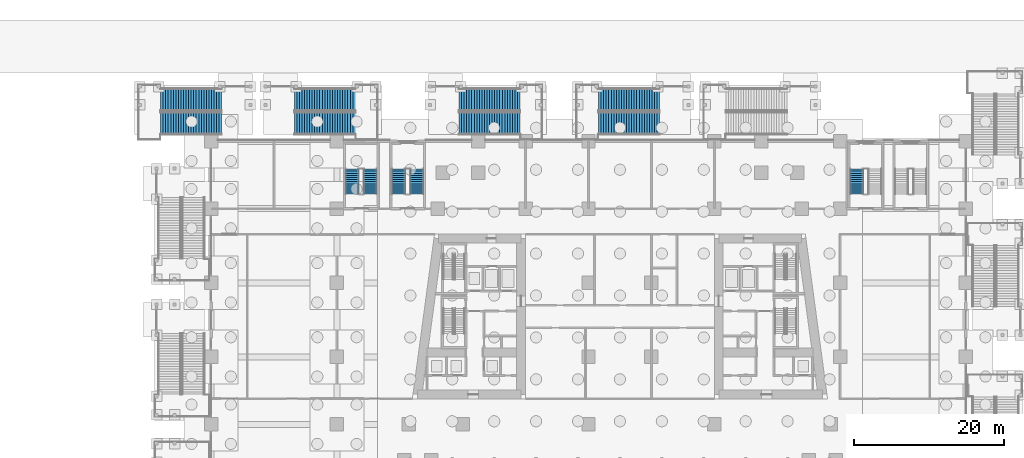
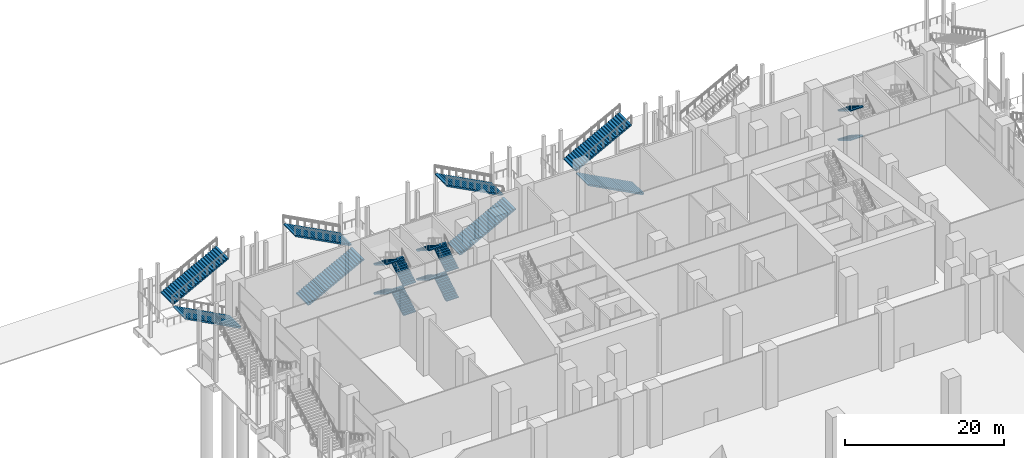
# One storey, part 54 of 72: 18 stair flights, 7 elements without a shape of their own.
"""IFC4 building model written with IfcOpenShell, lengths in metres."""

from ifc_helpers import new_model, si_unit, direction, frame, origin, place, context, subcontext, project, spatial, polyline, outline, extrude, material, type_object, element, aggregate, save


model = new_model("IFC4")

# Units and contexts
model_context = context("Model", 3, precision=1e-05, world=origin(), true_north=direction((0.0, 1.0)))
body_context = subcontext(model_context, "Body", "Model", "MODEL_VIEW")
ifc_project = project(units=[si_unit("LENGTHUNIT", "METRE"), si_unit("AREAUNIT", "SQUARE_METRE"), si_unit("VOLUMEUNIT", "CUBIC_METRE"), si_unit("PLANEANGLEUNIT", "RADIAN"), si_unit("MASSUNIT", "GRAM", prefix="KILO")], contexts=[model_context])

# Site, building, storey
site_placement = place(None, origin())
site = spatial("IfcSite", under=ifc_project, at=site_placement, CompositionType="ELEMENT")
building_placement = place(site_placement, origin())
building = spatial("IfcBuilding", under=site, at=building_placement, Name="Candeia Pilgrim Tower and Theatre", CompositionType="ELEMENT")
storey_placement = place(building_placement, origin())
storey = spatial("IfcBuildingStorey", under=building, at=storey_placement, Name="L00", CompositionType="ELEMENT", Elevation=0.0)

# Stair, stair flights
ifc_material = material(Name="Concrete C40/50", Category="concrete")
stair_type_1 = type_object("IfcStairType", Name="ST-EXT external escape stair", PredefinedType="HALF_TURN_STAIR", material=ifc_material)
stair_1_placement = place(storey_placement, origin())
stair_1 = element("IfcStair", 1, at=stair_1_placement, inside=storey, type_object=stair_type_1, Name="L00 External escape stair ES3", PredefinedType="HALF_TURN_STAIR")
stair_flight_type_1 = type_object("IfcStairFlightType", Name="SFL-EXT stair flight", PredefinedType="STRAIGHT", material=ifc_material)
stair_flight_1_placement = place(storey_placement, frame((60.199951171875, 147.199951171875, 0.0), z_axis=(0.0, 0.0, 1.0), x_axis=(-1.0, 0.0, 0.0)))
stair_flight_1 = element("IfcStairFlight", 2, at=stair_flight_1_placement, type_object=stair_flight_type_1, Name="ES3 flight 1", NumberOfRisers=25, NumberOfTreads=24, PredefinedType="STRAIGHT", RiserHeight=0.18, TreadLength=0.34, context=body_context, shape_type="SweptSolid", body=[
    extrude(outline(polyline([(0.0, 0.0), (0.0, 0.179931640625), (0.340087890625, 0.179931640625), (0.340087890625, 0.360107421875), (0.679931640625, 0.360107421875), (0.679931640625, 0.5400390625), (1.02001953125, 0.5400390625), (1.02001953125, 0.719970703125), (1.360107421875, 0.719970703125), (1.360107421875, 0.89990234375), (1.699951171875, 0.89990234375), (1.699951171875, 1.080078125), (2.0400390625, 1.080078125), (2.0400390625, 1.260009765625), (2.3798828125, 1.260009765625), (2.3798828125, 1.43994140625), (2.719970703125, 1.43994140625), (2.719970703125, 1.6201171875), (3.06005859375, 1.6201171875), (3.06005859375, 1.800048828125), (3.39990234375, 1.800048828125), (3.39990234375, 1.97998046875), (3.739990234375, 1.97998046875), (3.739990234375, 2.159912109375), (4.080078125, 2.159912109375), (4.080078125, 2.340087890625), (4.419921875, 2.340087890625), (4.419921875, 2.52001953125), (4.760009765625, 2.52001953125), (4.760009765625, 2.699951171875), (5.10009765625, 2.699951171875), (5.10009765625, 2.8798828125), (5.43994140625, 2.8798828125), (5.43994140625, 3.06005859375), (5.780029296875, 3.06005859375), (5.780029296875, 3.239990234375), (6.1201171875, 3.239990234375), (6.1201171875, 3.419921875), (6.4599609375, 3.419921875), (6.4599609375, 3.60009765625), (6.800048828125, 3.60009765625), (6.800048828125, 3.780029296875), (7.139892578125, 3.780029296875), (7.139892578125, 3.9599609375), (7.47998046875, 3.9599609375), (7.47998046875, 4.139892578125), (7.820068359375, 4.139892578125), (7.820068359375, 4.320068359375), (8.159912109375, 4.320068359375), (8.159912109375, 4.5), (8.159912109375, 4.150390625), (0.3203125, 0.0), (0.0, 0.0)])), frame((0.0, 1.5, 0.0), z_axis=(0.0, -1.0, 0.0), x_axis=(1.0, 0.0, 0.0)), (0.0, 0.0, 1.0), 3.0),
])
stair_flight_2_placement = place(storey_placement, frame((52.0400390625, 150.35009765625, 4.5), z_axis=(0.0, 0.0, 1.0), x_axis=(1.0, 0.0, 0.0)))
stair_flight_2 = element("IfcStairFlight", 3, at=stair_flight_2_placement, type_object=stair_flight_type_1, Name="ES3 flight 2", NumberOfRisers=25, NumberOfTreads=24, PredefinedType="STRAIGHT", RiserHeight=0.18, TreadLength=0.34, context=body_context, shape_type="SweptSolid", body=[
    extrude(outline(polyline([(0.0, 0.0), (0.0, 0.179931640625), (0.340087890625, 0.179931640625), (0.340087890625, 0.360107421875), (0.679931640625, 0.360107421875), (0.679931640625, 0.5400390625), (1.02001953125, 0.5400390625), (1.02001953125, 0.719970703125), (1.360107421875, 0.719970703125), (1.360107421875, 0.89990234375), (1.699951171875, 0.89990234375), (1.699951171875, 1.080078125), (2.0400390625, 1.080078125), (2.0400390625, 1.260009765625), (2.3798828125, 1.260009765625), (2.3798828125, 1.43994140625), (2.719970703125, 1.43994140625), (2.719970703125, 1.6201171875), (3.06005859375, 1.6201171875), (3.06005859375, 1.800048828125), (3.39990234375, 1.800048828125), (3.39990234375, 1.97998046875), (3.739990234375, 1.97998046875), (3.739990234375, 2.159912109375), (4.080078125, 2.159912109375), (4.080078125, 2.340087890625), (4.419921875, 2.340087890625), (4.419921875, 2.52001953125), (4.760009765625, 2.52001953125), (4.760009765625, 2.699951171875), (5.10009765625, 2.699951171875), (5.10009765625, 2.8798828125), (5.43994140625, 2.8798828125), (5.43994140625, 3.06005859375), (5.780029296875, 3.06005859375), (5.780029296875, 3.239990234375), (6.1201171875, 3.239990234375), (6.1201171875, 3.419921875), (6.4599609375, 3.419921875), (6.4599609375, 3.60009765625), (6.800048828125, 3.60009765625), (6.800048828125, 3.780029296875), (7.139892578125, 3.780029296875), (7.139892578125, 3.9599609375), (7.47998046875, 3.9599609375), (7.47998046875, 4.139892578125), (7.820068359375, 4.139892578125), (7.820068359375, 4.320068359375), (8.159912109375, 4.320068359375), (8.159912109375, 4.5), (8.159912109375, 4.150390625), (0.3203125, 0.0), (0.0, 0.0)])), frame((0.0, 1.5, 0.0), z_axis=(0.0, -1.0, 0.0), x_axis=(1.0, 0.0, 0.0)), (0.0, 0.0, 1.0), 3.0),
])
aggregate(stair_1, [stair_flight_1, stair_flight_2])

stair_2_placement = place(storey_placement, origin())
stair_2 = element("IfcStair", 4, at=stair_2_placement, inside=storey, type_object=stair_type_1, Name="L00 External escape stair ES4", PredefinedType="HALF_TURN_STAIR")
stair_flight_3_placement = place(storey_placement, frame((69.89990234375, 147.199951171875, 0.0), z_axis=(0.0, 0.0, 1.0), x_axis=(1.0, 0.0, 0.0)))
stair_flight_3 = element("IfcStairFlight", 5, at=stair_flight_3_placement, type_object=stair_flight_type_1, Name="ES4 flight 1", NumberOfRisers=25, NumberOfTreads=24, PredefinedType="STRAIGHT", RiserHeight=0.18, TreadLength=0.34, context=body_context, shape_type="SweptSolid", body=[
    extrude(outline(polyline([(0.0, 0.0), (0.0, 0.179931640625), (0.340087890625, 0.179931640625), (0.340087890625, 0.360107421875), (0.679931640625, 0.360107421875), (0.679931640625, 0.5400390625), (1.02001953125, 0.5400390625), (1.02001953125, 0.719970703125), (1.360107421875, 0.719970703125), (1.360107421875, 0.89990234375), (1.699951171875, 0.89990234375), (1.699951171875, 1.080078125), (2.0400390625, 1.080078125), (2.0400390625, 1.260009765625), (2.3798828125, 1.260009765625), (2.3798828125, 1.43994140625), (2.719970703125, 1.43994140625), (2.719970703125, 1.6201171875), (3.06005859375, 1.6201171875), (3.06005859375, 1.800048828125), (3.39990234375, 1.800048828125), (3.39990234375, 1.97998046875), (3.739990234375, 1.97998046875), (3.739990234375, 2.159912109375), (4.080078125, 2.159912109375), (4.080078125, 2.340087890625), (4.419921875, 2.340087890625), (4.419921875, 2.52001953125), (4.760009765625, 2.52001953125), (4.760009765625, 2.699951171875), (5.10009765625, 2.699951171875), (5.10009765625, 2.8798828125), (5.43994140625, 2.8798828125), (5.43994140625, 3.06005859375), (5.780029296875, 3.06005859375), (5.780029296875, 3.239990234375), (6.1201171875, 3.239990234375), (6.1201171875, 3.419921875), (6.4599609375, 3.419921875), (6.4599609375, 3.60009765625), (6.800048828125, 3.60009765625), (6.800048828125, 3.780029296875), (7.139892578125, 3.780029296875), (7.139892578125, 3.9599609375), (7.47998046875, 3.9599609375), (7.47998046875, 4.139892578125), (7.820068359375, 4.139892578125), (7.820068359375, 4.320068359375), (8.159912109375, 4.320068359375), (8.159912109375, 4.5), (8.159912109375, 4.150390625), (0.3203125, 0.0), (0.0, 0.0)])), frame((0.0, 1.5, 0.0), z_axis=(0.0, -1.0, 0.0), x_axis=(1.0, 0.0, 0.0)), (0.0, 0.0, 1.0), 3.0),
])
stair_flight_4_placement = place(storey_placement, frame((78.06005859375, 150.35009765625, 4.5), z_axis=(0.0, 0.0, 1.0), x_axis=(-1.0, 0.0, 0.0)))
stair_flight_4 = element("IfcStairFlight", 6, at=stair_flight_4_placement, type_object=stair_flight_type_1, Name="ES4 flight 2", NumberOfRisers=25, NumberOfTreads=24, PredefinedType="STRAIGHT", RiserHeight=0.18, TreadLength=0.34, context=body_context, shape_type="SweptSolid", body=[
    extrude(outline(polyline([(0.0, 0.0), (0.0, 0.179931640625), (0.340087890625, 0.179931640625), (0.340087890625, 0.360107421875), (0.679931640625, 0.360107421875), (0.679931640625, 0.5400390625), (1.02001953125, 0.5400390625), (1.02001953125, 0.719970703125), (1.360107421875, 0.719970703125), (1.360107421875, 0.89990234375), (1.699951171875, 0.89990234375), (1.699951171875, 1.080078125), (2.0400390625, 1.080078125), (2.0400390625, 1.260009765625), (2.3798828125, 1.260009765625), (2.3798828125, 1.43994140625), (2.719970703125, 1.43994140625), (2.719970703125, 1.6201171875), (3.06005859375, 1.6201171875), (3.06005859375, 1.800048828125), (3.39990234375, 1.800048828125), (3.39990234375, 1.97998046875), (3.739990234375, 1.97998046875), (3.739990234375, 2.159912109375), (4.080078125, 2.159912109375), (4.080078125, 2.340087890625), (4.419921875, 2.340087890625), (4.419921875, 2.52001953125), (4.760009765625, 2.52001953125), (4.760009765625, 2.699951171875), (5.10009765625, 2.699951171875), (5.10009765625, 2.8798828125), (5.43994140625, 2.8798828125), (5.43994140625, 3.06005859375), (5.780029296875, 3.06005859375), (5.780029296875, 3.239990234375), (6.1201171875, 3.239990234375), (6.1201171875, 3.419921875), (6.4599609375, 3.419921875), (6.4599609375, 3.60009765625), (6.800048828125, 3.60009765625), (6.800048828125, 3.780029296875), (7.139892578125, 3.780029296875), (7.139892578125, 3.9599609375), (7.47998046875, 3.9599609375), (7.47998046875, 4.139892578125), (7.820068359375, 4.139892578125), (7.820068359375, 4.320068359375), (8.159912109375, 4.320068359375), (8.159912109375, 4.5), (8.159912109375, 4.150390625), (0.3203125, 0.0), (0.0, 0.0)])), frame((0.0, 1.5, 0.0), z_axis=(0.0, -1.0, 0.0), x_axis=(1.0, 0.0, 0.0)), (0.0, 0.0, 1.0), 3.0),
])
aggregate(stair_2, [stair_flight_3, stair_flight_4])

stair_3_placement = place(storey_placement, origin())
stair_3 = element("IfcStair", 7, at=stair_3_placement, inside=storey, type_object=stair_type_1, Name="L00 External escape stair ES5", PredefinedType="HALF_TURN_STAIR")
stair_flight_5_placement = place(storey_placement, frame((91.89990234375, 147.199951171875, 0.0), z_axis=(0.0, 0.0, 1.0), x_axis=(1.0, 0.0, 0.0)))
stair_flight_5 = element("IfcStairFlight", 8, at=stair_flight_5_placement, type_object=stair_flight_type_1, Name="ES5 flight 1", NumberOfRisers=25, NumberOfTreads=24, PredefinedType="STRAIGHT", RiserHeight=0.18, TreadLength=0.34, context=body_context, shape_type="SweptSolid", body=[
    extrude(outline(polyline([(0.0, 0.0), (0.0, 0.179931640625), (0.340087890625, 0.179931640625), (0.340087890625, 0.360107421875), (0.679931640625, 0.360107421875), (0.679931640625, 0.5400390625), (1.02001953125, 0.5400390625), (1.02001953125, 0.719970703125), (1.360107421875, 0.719970703125), (1.360107421875, 0.89990234375), (1.699951171875, 0.89990234375), (1.699951171875, 1.080078125), (2.0400390625, 1.080078125), (2.0400390625, 1.260009765625), (2.3798828125, 1.260009765625), (2.3798828125, 1.43994140625), (2.719970703125, 1.43994140625), (2.719970703125, 1.6201171875), (3.06005859375, 1.6201171875), (3.06005859375, 1.800048828125), (3.39990234375, 1.800048828125), (3.39990234375, 1.97998046875), (3.739990234375, 1.97998046875), (3.739990234375, 2.159912109375), (4.080078125, 2.159912109375), (4.080078125, 2.340087890625), (4.419921875, 2.340087890625), (4.419921875, 2.52001953125), (4.760009765625, 2.52001953125), (4.760009765625, 2.699951171875), (5.10009765625, 2.699951171875), (5.10009765625, 2.8798828125), (5.43994140625, 2.8798828125), (5.43994140625, 3.06005859375), (5.780029296875, 3.06005859375), (5.780029296875, 3.239990234375), (6.1201171875, 3.239990234375), (6.1201171875, 3.419921875), (6.4599609375, 3.419921875), (6.4599609375, 3.60009765625), (6.800048828125, 3.60009765625), (6.800048828125, 3.780029296875), (7.139892578125, 3.780029296875), (7.139892578125, 3.9599609375), (7.47998046875, 3.9599609375), (7.47998046875, 4.139892578125), (7.820068359375, 4.139892578125), (7.820068359375, 4.320068359375), (8.159912109375, 4.320068359375), (8.159912109375, 4.5), (8.159912109375, 4.150390625), (0.3203125, 0.0), (0.0, 0.0)])), frame((0.0, 1.5, 0.0), z_axis=(0.0, -1.0, 0.0), x_axis=(1.0, 0.0, 0.0)), (0.0, 0.0, 1.0), 3.0),
])
stair_flight_6_placement = place(storey_placement, frame((100.06005859375, 150.35009765625, 4.5), z_axis=(0.0, 0.0, 1.0), x_axis=(-1.0, 0.0, 0.0)))
stair_flight_6 = element("IfcStairFlight", 9, at=stair_flight_6_placement, type_object=stair_flight_type_1, Name="ES5 flight 2", NumberOfRisers=25, NumberOfTreads=24, PredefinedType="STRAIGHT", RiserHeight=0.18, TreadLength=0.34, context=body_context, shape_type="SweptSolid", body=[
    extrude(outline(polyline([(0.0, 0.0), (0.0, 0.179931640625), (0.340087890625, 0.179931640625), (0.340087890625, 0.360107421875), (0.679931640625, 0.360107421875), (0.679931640625, 0.5400390625), (1.02001953125, 0.5400390625), (1.02001953125, 0.719970703125), (1.360107421875, 0.719970703125), (1.360107421875, 0.89990234375), (1.699951171875, 0.89990234375), (1.699951171875, 1.080078125), (2.0400390625, 1.080078125), (2.0400390625, 1.260009765625), (2.3798828125, 1.260009765625), (2.3798828125, 1.43994140625), (2.719970703125, 1.43994140625), (2.719970703125, 1.6201171875), (3.06005859375, 1.6201171875), (3.06005859375, 1.800048828125), (3.39990234375, 1.800048828125), (3.39990234375, 1.97998046875), (3.739990234375, 1.97998046875), (3.739990234375, 2.159912109375), (4.080078125, 2.159912109375), (4.080078125, 2.340087890625), (4.419921875, 2.340087890625), (4.419921875, 2.52001953125), (4.760009765625, 2.52001953125), (4.760009765625, 2.699951171875), (5.10009765625, 2.699951171875), (5.10009765625, 2.8798828125), (5.43994140625, 2.8798828125), (5.43994140625, 3.06005859375), (5.780029296875, 3.06005859375), (5.780029296875, 3.239990234375), (6.1201171875, 3.239990234375), (6.1201171875, 3.419921875), (6.4599609375, 3.419921875), (6.4599609375, 3.60009765625), (6.800048828125, 3.60009765625), (6.800048828125, 3.780029296875), (7.139892578125, 3.780029296875), (7.139892578125, 3.9599609375), (7.47998046875, 3.9599609375), (7.47998046875, 4.139892578125), (7.820068359375, 4.139892578125), (7.820068359375, 4.320068359375), (8.159912109375, 4.320068359375), (8.159912109375, 4.5), (8.159912109375, 4.150390625), (0.3203125, 0.0), (0.0, 0.0)])), frame((0.0, 1.5, 0.0), z_axis=(0.0, -1.0, 0.0), x_axis=(1.0, 0.0, 0.0)), (0.0, 0.0, 1.0), 3.0),
])
aggregate(stair_3, [stair_flight_5, stair_flight_6])

stair_4_placement = place(storey_placement, origin())
stair_4 = element("IfcStair", 10, at=stair_4_placement, inside=storey, type_object=stair_type_1, Name="L00 External escape stair ES6", PredefinedType="HALF_TURN_STAIR")
stair_flight_7_placement = place(storey_placement, frame((118.699951171875, 147.199951171875, 0.0), z_axis=(0.0, 0.0, 1.0), x_axis=(-1.0, 0.0, 0.0)))
stair_flight_7 = element("IfcStairFlight", 11, at=stair_flight_7_placement, type_object=stair_flight_type_1, Name="ES6 flight 1", NumberOfRisers=25, NumberOfTreads=24, PredefinedType="STRAIGHT", RiserHeight=0.18, TreadLength=0.34, context=body_context, shape_type="SweptSolid", body=[
    extrude(outline(polyline([(0.0, 0.0), (0.0, 0.179931640625), (0.340087890625, 0.179931640625), (0.340087890625, 0.360107421875), (0.679931640625, 0.360107421875), (0.679931640625, 0.5400390625), (1.02001953125, 0.5400390625), (1.02001953125, 0.719970703125), (1.360107421875, 0.719970703125), (1.360107421875, 0.89990234375), (1.699951171875, 0.89990234375), (1.699951171875, 1.080078125), (2.0400390625, 1.080078125), (2.0400390625, 1.260009765625), (2.3798828125, 1.260009765625), (2.3798828125, 1.43994140625), (2.719970703125, 1.43994140625), (2.719970703125, 1.6201171875), (3.06005859375, 1.6201171875), (3.06005859375, 1.800048828125), (3.39990234375, 1.800048828125), (3.39990234375, 1.97998046875), (3.739990234375, 1.97998046875), (3.739990234375, 2.159912109375), (4.080078125, 2.159912109375), (4.080078125, 2.340087890625), (4.419921875, 2.340087890625), (4.419921875, 2.52001953125), (4.760009765625, 2.52001953125), (4.760009765625, 2.699951171875), (5.10009765625, 2.699951171875), (5.10009765625, 2.8798828125), (5.43994140625, 2.8798828125), (5.43994140625, 3.06005859375), (5.780029296875, 3.06005859375), (5.780029296875, 3.239990234375), (6.1201171875, 3.239990234375), (6.1201171875, 3.419921875), (6.4599609375, 3.419921875), (6.4599609375, 3.60009765625), (6.800048828125, 3.60009765625), (6.800048828125, 3.780029296875), (7.139892578125, 3.780029296875), (7.139892578125, 3.9599609375), (7.47998046875, 3.9599609375), (7.47998046875, 4.139892578125), (7.820068359375, 4.139892578125), (7.820068359375, 4.320068359375), (8.159912109375, 4.320068359375), (8.159912109375, 4.5), (8.159912109375, 4.150390625), (0.3203125, 0.0), (0.0, 0.0)])), frame((0.0, 1.5, 0.0), z_axis=(0.0, -1.0, 0.0), x_axis=(1.0, 0.0, 0.0)), (0.0, 0.0, 1.0), 3.0),
])
stair_flight_8_placement = place(storey_placement, frame((110.5400390625, 150.35009765625, 4.5), z_axis=(0.0, 0.0, 1.0), x_axis=(1.0, 0.0, 0.0)))
stair_flight_8 = element("IfcStairFlight", 12, at=stair_flight_8_placement, type_object=stair_flight_type_1, Name="ES6 flight 2", NumberOfRisers=25, NumberOfTreads=24, PredefinedType="STRAIGHT", RiserHeight=0.18, TreadLength=0.34, context=body_context, shape_type="SweptSolid", body=[
    extrude(outline(polyline([(0.0, 0.0), (0.0, 0.179931640625), (0.340087890625, 0.179931640625), (0.340087890625, 0.360107421875), (0.679931640625, 0.360107421875), (0.679931640625, 0.5400390625), (1.02001953125, 0.5400390625), (1.02001953125, 0.719970703125), (1.360107421875, 0.719970703125), (1.360107421875, 0.89990234375), (1.699951171875, 0.89990234375), (1.699951171875, 1.080078125), (2.0400390625, 1.080078125), (2.0400390625, 1.260009765625), (2.3798828125, 1.260009765625), (2.3798828125, 1.43994140625), (2.719970703125, 1.43994140625), (2.719970703125, 1.6201171875), (3.06005859375, 1.6201171875), (3.06005859375, 1.800048828125), (3.39990234375, 1.800048828125), (3.39990234375, 1.97998046875), (3.739990234375, 1.97998046875), (3.739990234375, 2.159912109375), (4.080078125, 2.159912109375), (4.080078125, 2.340087890625), (4.419921875, 2.340087890625), (4.419921875, 2.52001953125), (4.760009765625, 2.52001953125), (4.760009765625, 2.699951171875), (5.10009765625, 2.699951171875), (5.10009765625, 2.8798828125), (5.43994140625, 2.8798828125), (5.43994140625, 3.06005859375), (5.780029296875, 3.06005859375), (5.780029296875, 3.239990234375), (6.1201171875, 3.239990234375), (6.1201171875, 3.419921875), (6.4599609375, 3.419921875), (6.4599609375, 3.60009765625), (6.800048828125, 3.60009765625), (6.800048828125, 3.780029296875), (7.139892578125, 3.780029296875), (7.139892578125, 3.9599609375), (7.47998046875, 3.9599609375), (7.47998046875, 4.139892578125), (7.820068359375, 4.139892578125), (7.820068359375, 4.320068359375), (8.159912109375, 4.320068359375), (8.159912109375, 4.5), (8.159912109375, 4.150390625), (0.3203125, 0.0), (0.0, 0.0)])), frame((0.0, 1.5, 0.0), z_axis=(0.0, -1.0, 0.0), x_axis=(1.0, 0.0, 0.0)), (0.0, 0.0, 1.0), 3.0),
])
aggregate(stair_4, [stair_flight_7, stair_flight_8])

stair_type_2 = type_object("IfcStairType", Name="ST-POD dog-leg escape stair", PredefinedType="HALF_TURN_STAIR", material=ifc_material)
stair_5_placement = place(storey_placement, origin())
stair_5 = element("IfcStair", 13, at=stair_5_placement, inside=storey, type_object=stair_type_2, Name="L00 Escape stair PS1", PredefinedType="HALF_TURN_STAIR")
stair_flight_type_2 = type_object("IfcStairFlightType", Name="SFL-POD stair flight", PredefinedType="STRAIGHT", material=ifc_material)
stair_flight_9_placement = place(storey_placement, frame((80.074951171875, 137.72509765625, 0.0), z_axis=(0.0, 0.0, 1.0), x_axis=(0.0, 1.0, 0.0)))
stair_flight_9 = element("IfcStairFlight", 14, at=stair_flight_9_placement, type_object=stair_flight_type_2, Name="PS1 flight 1", NumberOfRisers=13, NumberOfTreads=12, PredefinedType="STRAIGHT", RiserHeight=0.173076923, TreadLength=0.28, context=body_context, shape_type="SweptSolid", body=[
    extrude(outline(polyline([(0.0, 0.0), (0.0, 0.173095703125), (0.280029296875, 0.173095703125), (0.280029296875, 0.34619140625), (0.56005859375, 0.34619140625), (0.56005859375, 0.519287109375), (0.840087890625, 0.519287109375), (0.840087890625, 0.6923828125), (1.1201171875, 0.6923828125), (1.1201171875, 0.865478515625), (1.39990234375, 0.865478515625), (1.39990234375, 1.03857421875), (1.679931640625, 1.03857421875), (1.679931640625, 1.21142578125), (1.9599609375, 1.21142578125), (1.9599609375, 1.384521484375), (2.239990234375, 1.384521484375), (2.239990234375, 1.5576171875), (2.52001953125, 1.5576171875), (2.52001953125, 1.730712890625), (2.800048828125, 1.730712890625), (2.800048828125, 1.90380859375), (3.080078125, 1.90380859375), (3.080078125, 2.076904296875), (3.360107421875, 2.076904296875), (3.360107421875, 2.25), (3.360107421875, 1.900634765625), (0.28515625, 0.0), (0.0, 0.0)])), frame((0.0, 0.89990234375, 0.0), z_axis=(0.0, -1.0, 0.0), x_axis=(1.0, 0.0, 0.0)), (0.0, 0.0, 1.0), 1.800048828125),
])
stair_flight_10_placement = place(storey_placement, frame((77.625, 141.0849609375, 2.25), z_axis=(0.0, 0.0, 1.0), x_axis=(0.0, -1.0, 0.0)))
stair_flight_10 = element("IfcStairFlight", 15, at=stair_flight_10_placement, type_object=stair_flight_type_2, Name="PS1 flight 2", NumberOfRisers=13, NumberOfTreads=12, PredefinedType="STRAIGHT", RiserHeight=0.173076923, TreadLength=0.28, context=body_context, shape_type="SweptSolid", body=[
    extrude(outline(polyline([(0.0, 0.0), (0.0, 0.173095703125), (0.280029296875, 0.173095703125), (0.280029296875, 0.34619140625), (0.56005859375, 0.34619140625), (0.56005859375, 0.519287109375), (0.840087890625, 0.519287109375), (0.840087890625, 0.6923828125), (1.1201171875, 0.6923828125), (1.1201171875, 0.865478515625), (1.39990234375, 0.865478515625), (1.39990234375, 1.03857421875), (1.679931640625, 1.03857421875), (1.679931640625, 1.21142578125), (1.9599609375, 1.21142578125), (1.9599609375, 1.384521484375), (2.239990234375, 1.384521484375), (2.239990234375, 1.5576171875), (2.52001953125, 1.5576171875), (2.52001953125, 1.730712890625), (2.800048828125, 1.730712890625), (2.800048828125, 1.90380859375), (3.080078125, 1.90380859375), (3.080078125, 2.076904296875), (3.360107421875, 2.076904296875), (3.360107421875, 2.25), (3.360107421875, 1.900634765625), (0.28515625, 0.0), (0.0, 0.0)])), frame((0.0, 0.89990234375, 0.0), z_axis=(0.0, -1.0, 0.0), x_axis=(1.0, 0.0, 0.0)), (0.0, 0.0, 1.0), 1.800048828125),
])
stair_flight_11_placement = place(storey_placement, frame((80.074951171875, 137.72509765625, 4.5), z_axis=(0.0, 0.0, 1.0), x_axis=(0.0, 1.0, 0.0)))
stair_flight_11 = element("IfcStairFlight", 16, at=stair_flight_11_placement, type_object=stair_flight_type_2, Name="PS1 flight 3", NumberOfRisers=13, NumberOfTreads=12, PredefinedType="STRAIGHT", RiserHeight=0.173076923, TreadLength=0.28, context=body_context, shape_type="SweptSolid", body=[
    extrude(outline(polyline([(0.0, 0.0), (0.0, 0.173095703125), (0.280029296875, 0.173095703125), (0.280029296875, 0.34619140625), (0.56005859375, 0.34619140625), (0.56005859375, 0.519287109375), (0.840087890625, 0.519287109375), (0.840087890625, 0.6923828125), (1.1201171875, 0.6923828125), (1.1201171875, 0.865478515625), (1.39990234375, 0.865478515625), (1.39990234375, 1.03857421875), (1.679931640625, 1.03857421875), (1.679931640625, 1.21142578125), (1.9599609375, 1.21142578125), (1.9599609375, 1.384521484375), (2.239990234375, 1.384521484375), (2.239990234375, 1.5576171875), (2.52001953125, 1.5576171875), (2.52001953125, 1.730712890625), (2.800048828125, 1.730712890625), (2.800048828125, 1.90380859375), (3.080078125, 1.90380859375), (3.080078125, 2.076904296875), (3.360107421875, 2.076904296875), (3.360107421875, 2.25), (3.360107421875, 1.900634765625), (0.28515625, 0.0), (0.0, 0.0)])), frame((0.0, 0.89990234375, 0.0), z_axis=(0.0, -1.0, 0.0), x_axis=(1.0, 0.0, 0.0)), (0.0, 0.0, 1.0), 1.800048828125),
])
stair_flight_12_placement = place(storey_placement, frame((77.625, 141.0849609375, 6.75), z_axis=(0.0, 0.0, 1.0), x_axis=(0.0, -1.0, 0.0)))
stair_flight_12 = element("IfcStairFlight", 17, at=stair_flight_12_placement, type_object=stair_flight_type_2, Name="PS1 flight 4", NumberOfRisers=13, NumberOfTreads=12, PredefinedType="STRAIGHT", RiserHeight=0.173076923, TreadLength=0.28, context=body_context, shape_type="SweptSolid", body=[
    extrude(outline(polyline([(0.0, 0.0), (0.0, 0.173095703125), (0.280029296875, 0.173095703125), (0.280029296875, 0.34619140625), (0.56005859375, 0.34619140625), (0.56005859375, 0.519287109375), (0.840087890625, 0.519287109375), (0.840087890625, 0.6923828125), (1.1201171875, 0.6923828125), (1.1201171875, 0.865478515625), (1.39990234375, 0.865478515625), (1.39990234375, 1.03857421875), (1.679931640625, 1.03857421875), (1.679931640625, 1.21142578125), (1.9599609375, 1.21142578125), (1.9599609375, 1.384521484375), (2.239990234375, 1.384521484375), (2.239990234375, 1.5576171875), (2.52001953125, 1.5576171875), (2.52001953125, 1.730712890625), (2.800048828125, 1.730712890625), (2.800048828125, 1.90380859375), (3.080078125, 1.90380859375), (3.080078125, 2.076904296875), (3.360107421875, 2.076904296875), (3.360107421875, 2.25), (3.360107421875, 1.900634765625), (0.28515625, 0.0), (0.0, 0.0)])), frame((0.0, 0.89990234375, 0.0), z_axis=(0.0, -1.0, 0.0), x_axis=(1.0, 0.0, 0.0)), (0.0, 0.0, 1.0), 1.800048828125),
])
aggregate(stair_5, [stair_flight_9, stair_flight_10, stair_flight_11, stair_flight_12])

stair_6_placement = place(storey_placement, origin())
stair_6 = element("IfcStair", 18, at=stair_6_placement, inside=storey, type_object=stair_type_2, Name="L00 Escape stair PS2", PredefinedType="HALF_TURN_STAIR")
stair_flight_13_placement = place(storey_placement, frame((86.27490234375, 137.72509765625, 0.0), z_axis=(0.0, 0.0, 1.0), x_axis=(0.0, 1.0, 0.0)))
stair_flight_13 = element("IfcStairFlight", 19, at=stair_flight_13_placement, type_object=stair_flight_type_2, Name="PS2 flight 1", NumberOfRisers=13, NumberOfTreads=12, PredefinedType="STRAIGHT", RiserHeight=0.173076923, TreadLength=0.28, context=body_context, shape_type="SweptSolid", body=[
    extrude(outline(polyline([(0.0, 0.0), (0.0, 0.173095703125), (0.280029296875, 0.173095703125), (0.280029296875, 0.34619140625), (0.56005859375, 0.34619140625), (0.56005859375, 0.519287109375), (0.840087890625, 0.519287109375), (0.840087890625, 0.6923828125), (1.1201171875, 0.6923828125), (1.1201171875, 0.865478515625), (1.39990234375, 0.865478515625), (1.39990234375, 1.03857421875), (1.679931640625, 1.03857421875), (1.679931640625, 1.21142578125), (1.9599609375, 1.21142578125), (1.9599609375, 1.384521484375), (2.239990234375, 1.384521484375), (2.239990234375, 1.5576171875), (2.52001953125, 1.5576171875), (2.52001953125, 1.730712890625), (2.800048828125, 1.730712890625), (2.800048828125, 1.90380859375), (3.080078125, 1.90380859375), (3.080078125, 2.076904296875), (3.360107421875, 2.076904296875), (3.360107421875, 2.25), (3.360107421875, 1.900634765625), (0.28515625, 0.0), (0.0, 0.0)])), frame((0.0, 0.89990234375, 0.0), z_axis=(0.0, -1.0, 0.0), x_axis=(1.0, 0.0, 0.0)), (0.0, 0.0, 1.0), 1.800048828125),
])
stair_flight_14_placement = place(storey_placement, frame((83.824951171875, 141.0849609375, 2.25), z_axis=(0.0, 0.0, 1.0), x_axis=(0.0, -1.0, 0.0)))
stair_flight_14 = element("IfcStairFlight", 20, at=stair_flight_14_placement, type_object=stair_flight_type_2, Name="PS2 flight 2", NumberOfRisers=13, NumberOfTreads=12, PredefinedType="STRAIGHT", RiserHeight=0.173076923, TreadLength=0.28, context=body_context, shape_type="SweptSolid", body=[
    extrude(outline(polyline([(0.0, 0.0), (0.0, 0.173095703125), (0.280029296875, 0.173095703125), (0.280029296875, 0.34619140625), (0.56005859375, 0.34619140625), (0.56005859375, 0.519287109375), (0.840087890625, 0.519287109375), (0.840087890625, 0.6923828125), (1.1201171875, 0.6923828125), (1.1201171875, 0.865478515625), (1.39990234375, 0.865478515625), (1.39990234375, 1.03857421875), (1.679931640625, 1.03857421875), (1.679931640625, 1.21142578125), (1.9599609375, 1.21142578125), (1.9599609375, 1.384521484375), (2.239990234375, 1.384521484375), (2.239990234375, 1.5576171875), (2.52001953125, 1.5576171875), (2.52001953125, 1.730712890625), (2.800048828125, 1.730712890625), (2.800048828125, 1.90380859375), (3.080078125, 1.90380859375), (3.080078125, 2.076904296875), (3.360107421875, 2.076904296875), (3.360107421875, 2.25), (3.360107421875, 1.900634765625), (0.28515625, 0.0), (0.0, 0.0)])), frame((0.0, 0.89990234375, 0.0), z_axis=(0.0, -1.0, 0.0), x_axis=(1.0, 0.0, 0.0)), (0.0, 0.0, 1.0), 1.800048828125),
])
stair_flight_15_placement = place(storey_placement, frame((86.27490234375, 137.72509765625, 4.5), z_axis=(0.0, 0.0, 1.0), x_axis=(0.0, 1.0, 0.0)))
stair_flight_15 = element("IfcStairFlight", 21, at=stair_flight_15_placement, type_object=stair_flight_type_2, Name="PS2 flight 3", NumberOfRisers=13, NumberOfTreads=12, PredefinedType="STRAIGHT", RiserHeight=0.173076923, TreadLength=0.28, context=body_context, shape_type="SweptSolid", body=[
    extrude(outline(polyline([(0.0, 0.0), (0.0, 0.173095703125), (0.280029296875, 0.173095703125), (0.280029296875, 0.34619140625), (0.56005859375, 0.34619140625), (0.56005859375, 0.519287109375), (0.840087890625, 0.519287109375), (0.840087890625, 0.6923828125), (1.1201171875, 0.6923828125), (1.1201171875, 0.865478515625), (1.39990234375, 0.865478515625), (1.39990234375, 1.03857421875), (1.679931640625, 1.03857421875), (1.679931640625, 1.21142578125), (1.9599609375, 1.21142578125), (1.9599609375, 1.384521484375), (2.239990234375, 1.384521484375), (2.239990234375, 1.5576171875), (2.52001953125, 1.5576171875), (2.52001953125, 1.730712890625), (2.800048828125, 1.730712890625), (2.800048828125, 1.90380859375), (3.080078125, 1.90380859375), (3.080078125, 2.076904296875), (3.360107421875, 2.076904296875), (3.360107421875, 2.25), (3.360107421875, 1.900634765625), (0.28515625, 0.0), (0.0, 0.0)])), frame((0.0, 0.89990234375, 0.0), z_axis=(0.0, -1.0, 0.0), x_axis=(1.0, 0.0, 0.0)), (0.0, 0.0, 1.0), 1.800048828125),
])
stair_flight_16_placement = place(storey_placement, frame((83.824951171875, 141.0849609375, 6.75), z_axis=(0.0, 0.0, 1.0), x_axis=(0.0, -1.0, 0.0)))
stair_flight_16 = element("IfcStairFlight", 22, at=stair_flight_16_placement, type_object=stair_flight_type_2, Name="PS2 flight 4", NumberOfRisers=13, NumberOfTreads=12, PredefinedType="STRAIGHT", RiserHeight=0.173076923, TreadLength=0.28, context=body_context, shape_type="SweptSolid", body=[
    extrude(outline(polyline([(0.0, 0.0), (0.0, 0.173095703125), (0.280029296875, 0.173095703125), (0.280029296875, 0.34619140625), (0.56005859375, 0.34619140625), (0.56005859375, 0.519287109375), (0.840087890625, 0.519287109375), (0.840087890625, 0.6923828125), (1.1201171875, 0.6923828125), (1.1201171875, 0.865478515625), (1.39990234375, 0.865478515625), (1.39990234375, 1.03857421875), (1.679931640625, 1.03857421875), (1.679931640625, 1.21142578125), (1.9599609375, 1.21142578125), (1.9599609375, 1.384521484375), (2.239990234375, 1.384521484375), (2.239990234375, 1.5576171875), (2.52001953125, 1.5576171875), (2.52001953125, 1.730712890625), (2.800048828125, 1.730712890625), (2.800048828125, 1.90380859375), (3.080078125, 1.90380859375), (3.080078125, 2.076904296875), (3.360107421875, 2.076904296875), (3.360107421875, 2.25), (3.360107421875, 1.900634765625), (0.28515625, 0.0), (0.0, 0.0)])), frame((0.0, 0.89990234375, 0.0), z_axis=(0.0, -1.0, 0.0), x_axis=(1.0, 0.0, 0.0)), (0.0, 0.0, 1.0), 1.800048828125),
])
aggregate(stair_6, [stair_flight_13, stair_flight_14, stair_flight_15, stair_flight_16])

stair_7_placement = place(storey_placement, origin())
stair_7 = element("IfcStair", 23, at=stair_7_placement, inside=storey, type_object=stair_type_2, Name="L00 Escape stair PS3", PredefinedType="HALF_TURN_STAIR")
stair_flight_17_placement = place(storey_placement, frame((145.02490234375, 141.0849609375, 2.25), z_axis=(0.0, 0.0, 1.0), x_axis=(0.0, -1.0, 0.0)))
stair_flight_17 = element("IfcStairFlight", 24, at=stair_flight_17_placement, type_object=stair_flight_type_2, Name="PS3 flight 2", NumberOfRisers=13, NumberOfTreads=12, PredefinedType="STRAIGHT", RiserHeight=0.173076923, TreadLength=0.28, context=body_context, shape_type="SweptSolid", body=[
    extrude(outline(polyline([(0.0, 0.0), (0.0, 0.173095703125), (0.280029296875, 0.173095703125), (0.280029296875, 0.34619140625), (0.56005859375, 0.34619140625), (0.56005859375, 0.519287109375), (0.840087890625, 0.519287109375), (0.840087890625, 0.6923828125), (1.1201171875, 0.6923828125), (1.1201171875, 0.865478515625), (1.39990234375, 0.865478515625), (1.39990234375, 1.03857421875), (1.679931640625, 1.03857421875), (1.679931640625, 1.21142578125), (1.9599609375, 1.21142578125), (1.9599609375, 1.384521484375), (2.239990234375, 1.384521484375), (2.239990234375, 1.5576171875), (2.52001953125, 1.5576171875), (2.52001953125, 1.730712890625), (2.800048828125, 1.730712890625), (2.800048828125, 1.90380859375), (3.080078125, 1.90380859375), (3.080078125, 2.076904296875), (3.360107421875, 2.076904296875), (3.360107421875, 2.25), (3.360107421875, 1.900634765625), (0.28515625, 0.0), (0.0, 0.0)])), frame((0.0, 0.89990234375, 0.0), z_axis=(0.0, -1.0, 0.0), x_axis=(1.0, 0.0, 0.0)), (0.0, 0.0, 1.0), 1.800048828125),
])
stair_flight_18_placement = place(storey_placement, frame((145.02490234375, 141.0849609375, 6.75), z_axis=(0.0, 0.0, 1.0), x_axis=(0.0, -1.0, 0.0)))
stair_flight_18 = element("IfcStairFlight", 25, at=stair_flight_18_placement, type_object=stair_flight_type_2, Name="PS3 flight 4", NumberOfRisers=13, NumberOfTreads=12, PredefinedType="STRAIGHT", RiserHeight=0.173076923, TreadLength=0.28, context=body_context, shape_type="SweptSolid", body=[
    extrude(outline(polyline([(0.0, 0.0), (0.0, 0.173095703125), (0.280029296875, 0.173095703125), (0.280029296875, 0.34619140625), (0.56005859375, 0.34619140625), (0.56005859375, 0.519287109375), (0.840087890625, 0.519287109375), (0.840087890625, 0.6923828125), (1.1201171875, 0.6923828125), (1.1201171875, 0.865478515625), (1.39990234375, 0.865478515625), (1.39990234375, 1.03857421875), (1.679931640625, 1.03857421875), (1.679931640625, 1.21142578125), (1.9599609375, 1.21142578125), (1.9599609375, 1.384521484375), (2.239990234375, 1.384521484375), (2.239990234375, 1.5576171875), (2.52001953125, 1.5576171875), (2.52001953125, 1.730712890625), (2.800048828125, 1.730712890625), (2.800048828125, 1.90380859375), (3.080078125, 1.90380859375), (3.080078125, 2.076904296875), (3.360107421875, 2.076904296875), (3.360107421875, 2.25), (3.360107421875, 1.900634765625), (0.28515625, 0.0), (0.0, 0.0)])), frame((0.0, 0.89990234375, 0.0), z_axis=(0.0, -1.0, 0.0), x_axis=(1.0, 0.0, 0.0)), (0.0, 0.0, 1.0), 1.800048828125),
])
aggregate(stair_7, [stair_flight_17, stair_flight_18])

save(model, "model.ifc")
